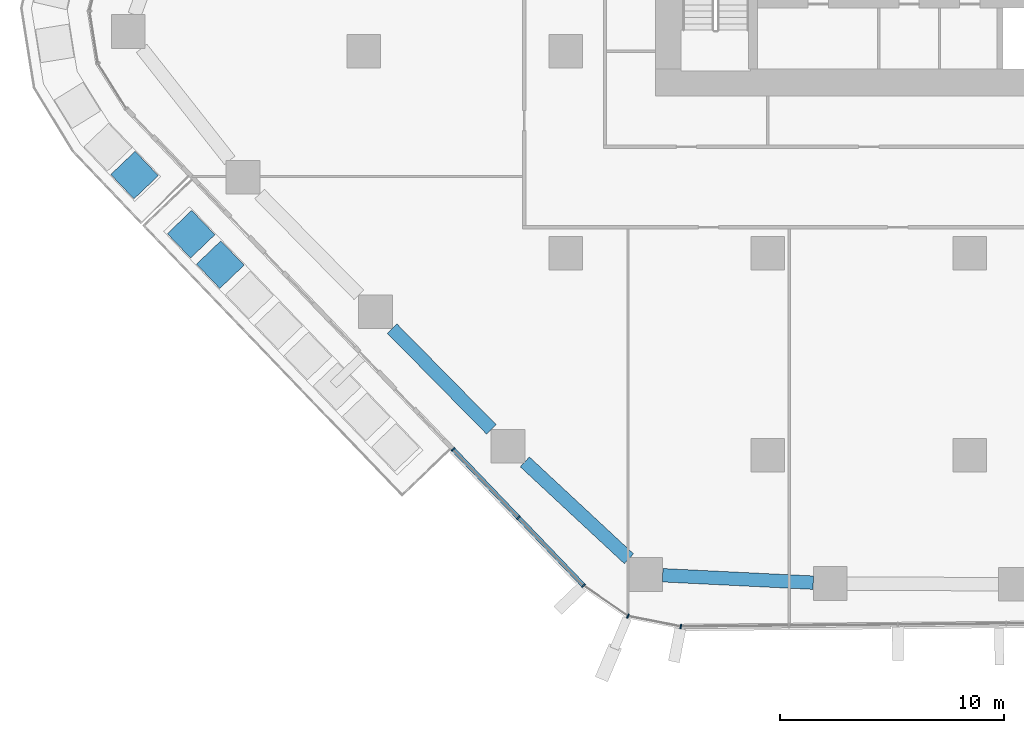
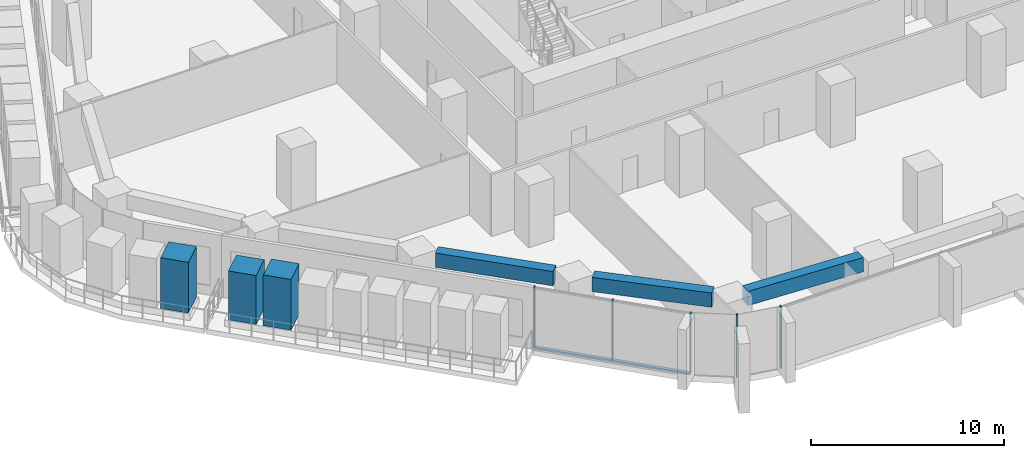
# One storey, part 2 of 23: 9 members, 3 beams, 2 elements without a shape of their own.
"""IFC4 building model written with IfcOpenShell, lengths in metres."""

from ifc_helpers import new_model, si_unit, direction, frame, origin, origin_2d, place, context, subcontext, project, spatial, rectangle, extrude, material, layer, layer_set, material_profile, profile_set, type_object, element, aggregate, save


model = new_model("IFC4")

# Units and contexts
model_context = context("Model", 3, precision=1e-05, world=origin(), true_north=direction((0.0, 1.0)))
body_context = subcontext(model_context, "Body", "Model", "MODEL_VIEW")
ifc_project = project(units=[si_unit("LENGTHUNIT", "METRE"), si_unit("AREAUNIT", "SQUARE_METRE"), si_unit("VOLUMEUNIT", "CUBIC_METRE"), si_unit("PLANEANGLEUNIT", "RADIAN"), si_unit("MASSUNIT", "GRAM", prefix="KILO")], contexts=[model_context])

# Site, building, storey
site_placement = place(None, origin())
site = spatial("IfcSite", under=ifc_project, at=site_placement, CompositionType="ELEMENT")
building_placement = place(site_placement, origin())
building = spatial("IfcBuilding", under=site, at=building_placement, Name="Dongbaek Canopy Tower", CompositionType="ELEMENT")
storey_placement = place(building_placement, frame((0.0, 0.0, 84.699951171875)))
storey = spatial("IfcBuildingStorey", under=building, at=storey_placement, Name="L17", CompositionType="ELEMENT", Elevation=84.699951171875)

# Curtain wall, members
ifc_material_1 = material(Name="Aluminium 6063-T6 pale anodised", Category="aluminium")
ifc_layer = layer(ifc_material_1, 0.199951171875)
ifc_layer_set = layer_set([ifc_layer], Name="CW-1 unitised tower curtain wall")
curtain_wall_type = type_object("IfcCurtainWallType", Name="CW-1 unitised tower curtain wall", PredefinedType="NOTDEFINED", material=ifc_layer_set)
curtain_wall_1_placement = place(storey_placement, origin())
curtain_wall_1 = element("IfcCurtainWall", 1, at=curtain_wall_1_placement, inside=storey, type_object=curtain_wall_type, Name="CW-1 curtain wall F3.1", PredefinedType="NOTDEFINED")
ifc_material_2 = material(Name="Aluminium 6063-T6 pale anodised", Category="aluminium")
ifc_material_profile_1 = material_profile(ifc_material_2, rectangle(XDim=0.199951171875, YDim=0.06005859375, at=origin_2d()), Name="CW-1 mullion 60 x 200")
ifc_profile_set_1 = profile_set([ifc_material_profile_1], Name="Aluminium 6063-T6 pale anodised")
member_type_1 = type_object("IfcMemberType", Name="CW-1 mullion 60 x 200", PredefinedType="MULLION", material=ifc_profile_set_1)
member_1_placement = place(storey_placement, frame((-23.022216796875, -26.74072265625, 0.1201171875), z_axis=(0.0, 0.0, 1.0), x_axis=(-0.721910788047, -0.691986137217, 0.0)))
member_1 = element("IfcMember", 2, at=member_1_placement, type_object=member_type_1, Name="CW-1 mullion F3.1.1", PredefinedType="MULLION", context=body_context, shape_type="SweptSolid", body=[
    extrude(rectangle(XDim=0.199951171875, YDim=0.06005859375, at=origin_2d()), origin(), (0.0, 0.0, 1.0), 3.780029296875),
])
member_2_placement = place(storey_placement, frame((-20.10986328125, -29.779296875, 0.1201171875), z_axis=(0.0, 0.0, 1.0), x_axis=(-0.721910788047, -0.691986137217, 0.0)))
member_2 = element("IfcMember", 3, at=member_2_placement, type_object=member_type_1, Name="CW-1 mullion F3.1.2", PredefinedType="MULLION", context=body_context, shape_type="SweptSolid", body=[
    extrude(rectangle(XDim=0.199951171875, YDim=0.06005859375, at=origin_2d()), origin(), (0.0, 0.0, 1.0), 3.780029296875),
])
member_3_placement = place(storey_placement, frame((-17.204345703125, -32.810302734375, 0.1201171875), z_axis=(0.0, 0.0, 1.0), x_axis=(-0.721910788047, -0.691986137217, 0.0)))
member_3 = element("IfcMember", 4, at=member_3_placement, type_object=member_type_1, Name="CW-1 mullion F3.1.3", PredefinedType="MULLION", context=body_context, shape_type="SweptSolid", body=[
    extrude(rectangle(XDim=0.199951171875, YDim=0.06005859375, at=origin_2d()), origin(), (0.0, 0.0, 1.0), 3.780029296875),
])

curtain_wall_2_placement = place(storey_placement, origin())
curtain_wall_2 = element("IfcCurtainWall", 5, at=curtain_wall_2_placement, inside=storey, type_object=curtain_wall_type, Name="CW-1 curtain wall K4.1", PredefinedType="NOTDEFINED")
member_4_placement = place(storey_placement, frame((-15.227783203125, -34.170166015625, 0.0), z_axis=(0.0, 0.0, 1.0), x_axis=(-0.388201571953, -0.921574489411, 0.0)))
member_4 = element("IfcMember", 6, at=member_4_placement, type_object=member_type_1, Name="CW-1 mullion K4.1.2", PredefinedType="MULLION", context=body_context, shape_type="SweptSolid", body=[
    extrude(rectangle(XDim=0.199951171875, YDim=0.06005859375, at=origin_2d()), origin(), (0.0, 0.0, 1.0), 3.900146484375),
])
member_5_placement = place(storey_placement, frame((-12.87353515625, -34.634521484375, 0.0), z_axis=(0.0, 0.0, 1.0), x_axis=(-0.193510612192, -0.981098182125, 0.0)))
member_5 = element("IfcMember", 7, at=member_5_placement, type_object=member_type_1, Name="CW-1 mullion K4.1.3", PredefinedType="MULLION", context=body_context, shape_type="SweptSolid", body=[
    extrude(rectangle(XDim=0.199951171875, YDim=0.06005859375, at=origin_2d()), origin(), (0.0, 0.0, 1.0), 3.900146484375),
])
aggregate(curtain_wall_2, [member_4, member_5])

# Member
ifc_material_3 = material(Name="Aluminium 6063-T6 pale anodised", Category="aluminium")
ifc_material_profile_2 = material_profile(ifc_material_3, rectangle(XDim=0.199951171875, YDim=0.1201171875, at=origin_2d()), Name="CW-1 transom 120 x 200")
ifc_profile_set_2 = profile_set([ifc_material_profile_2], Name="Aluminium 6063-T6 pale anodised")
member_type_2 = type_object("IfcMemberType", Name="CW-1 transom 120 x 200", PredefinedType="USERDEFINED", material=ifc_profile_set_2)
member_6_placement = place(storey_placement, frame((-23.022216796875, -26.74072265625, 0.06005859375), z_axis=(0.691979150689, -0.721917484905, 0.0), x_axis=(0.721917484905, 0.691979150689, 0.0)))
member_6 = element("IfcMember", 8, at=member_6_placement, type_object=member_type_2, Name="CW-1 transom F3.1.1", ObjectType="TRANSOM", PredefinedType="USERDEFINED", context=body_context, shape_type="SweptSolid", body=[
    extrude(rectangle(XDim=0.199951171875, YDim=0.1201171875, at=origin_2d()), origin(), (0.0, 0.0, 1.0), 8.407470703125),
])

aggregate(curtain_wall_1, [member_1, member_2, member_3, member_6])

# Beams
ifc_material_4 = material(Name="Concrete C80", Category="concrete")
ifc_material_profile_3 = material_profile(ifc_material_4, rectangle(XDim=0.60009765625, YDim=0.89990234375, at=origin_2d()), Name="RC EDGE BEAM 600x900 C80")
ifc_profile_set_3 = profile_set([ifc_material_profile_3], Name="Concrete C80")
beam_type = type_object("IfcBeamType", Name="RC EDGE BEAM 600x900 C80", PredefinedType="BEAM", material=ifc_profile_set_3)
beam_1_placement = place(storey_placement, frame((-6.971923828125, -32.68017578125, 3.449951171875), z_axis=(-0.998791258722, 0.049153041612, 0.0), x_axis=(-0.049153041612, -0.998791258722, 0.0)))
element("IfcBeam", 9, at=beam_1_placement, inside=storey, type_object=beam_type, Name="EDGEBEAM:L17:03", PredefinedType="BEAM", context=body_context, shape_type="SweptSolid", body=[
    extrude(rectangle(XDim=0.60009765625, YDim=0.89990234375, at=origin_2d()), origin(), (0.0, 0.0, 1.0), 6.72021484375),
])
beam_2_placement = place(storey_placement, frame((-15.18408203125, -31.615478515625, 3.449951171875), z_axis=(-0.732207291567, 0.681081846899, 0.0), x_axis=(-0.681081846899, -0.732207291567, 0.0)))
element("IfcBeam", 10, at=beam_2_placement, inside=storey, type_object=beam_type, Name="EDGEBEAM:L17:04", PredefinedType="BEAM", context=body_context, shape_type="SweptSolid", body=[
    extrude(rectangle(XDim=0.60009765625, YDim=0.89990234375, at=origin_2d()), origin(), (0.0, 0.0, 1.0), 6.3369140625),
])
beam_3_placement = place(storey_placement, frame((-21.312744140625, -25.85205078125, 3.449951171875), z_axis=(-0.701726082417, 0.712446843811, 0.0), x_axis=(-0.712446843811, -0.701726082417, 0.0)))
element("IfcBeam", 11, at=beam_3_placement, inside=storey, type_object=beam_type, Name="EDGEBEAM:L17:05", PredefinedType="BEAM", context=body_context, shape_type="SweptSolid", body=[
    extrude(rectangle(XDim=0.60009765625, YDim=0.89990234375, at=origin_2d()), origin(), (0.0, 0.0, 1.0), 6.30810546875),
])

# Members
ifc_material_5 = material(Name="Concrete C40/50 planter mass with planting", Category="concrete")
ifc_material_profile_4 = material_profile(ifc_material_5, rectangle(XDim=1.5, YDim=1.5, at=origin_2d()), Name="Terrace PLANTER shrub mass 1500 x 1500")
ifc_profile_set_4 = profile_set([ifc_material_profile_4], Name="Concrete C40/50 planter mass with planting")
member_type_3 = type_object("IfcMemberType", Name="Terrace PLANTER shrub mass 1500 x 1500", PredefinedType="USERDEFINED", material=ifc_profile_set_4)
member_7_placement = place(storey_placement, frame((-34.69140625, -17.15380859375, 0.420166015625), z_axis=(0.0, 0.0, 1.0), x_axis=(-0.721910788047, -0.691986137217, 0.0)))
element("IfcMember", 12, at=member_7_placement, inside=storey, type_object=member_type_3, Name="Planter shrubs L17 3.1", ObjectType="PLANTER", PredefinedType="USERDEFINED", context=body_context, shape_type="SweptSolid", body=[
    extrude(rectangle(XDim=1.5, YDim=1.5, at=origin_2d()), origin(), (0.0, 0.0, 1.0), 3.08984375),
])
for number, where, z_axis, x_axis, name in (
    (13, (-33.390869140625, -18.5107421875, 0.420166015625), (0.0, 0.0, 1.0), (-0.721910788047, -0.691986137217, 0.0), "Planter shrubs L17 3.2"),
    (14, (-37.21337890625, -14.51953125, 0.420166015625), (0.0, 0.0, 1.0), (-0.723646813997, -0.69017047792, 0.0), "Planter shrubs L17 6.5"),
):
    element("IfcMember", number, at=place(storey_placement, frame(where, z_axis=z_axis, x_axis=x_axis)), inside=storey, type_object=member_type_3, Name=name, ObjectType="PLANTER", PredefinedType="USERDEFINED", context=body_context, shape_type="SweptSolid", body=[
        extrude(rectangle(XDim=1.5, YDim=1.5, at=origin_2d()), origin(), (0.0, 0.0, 1.0), 3.2099609375),
    ])

save(model, "model.ifc")
